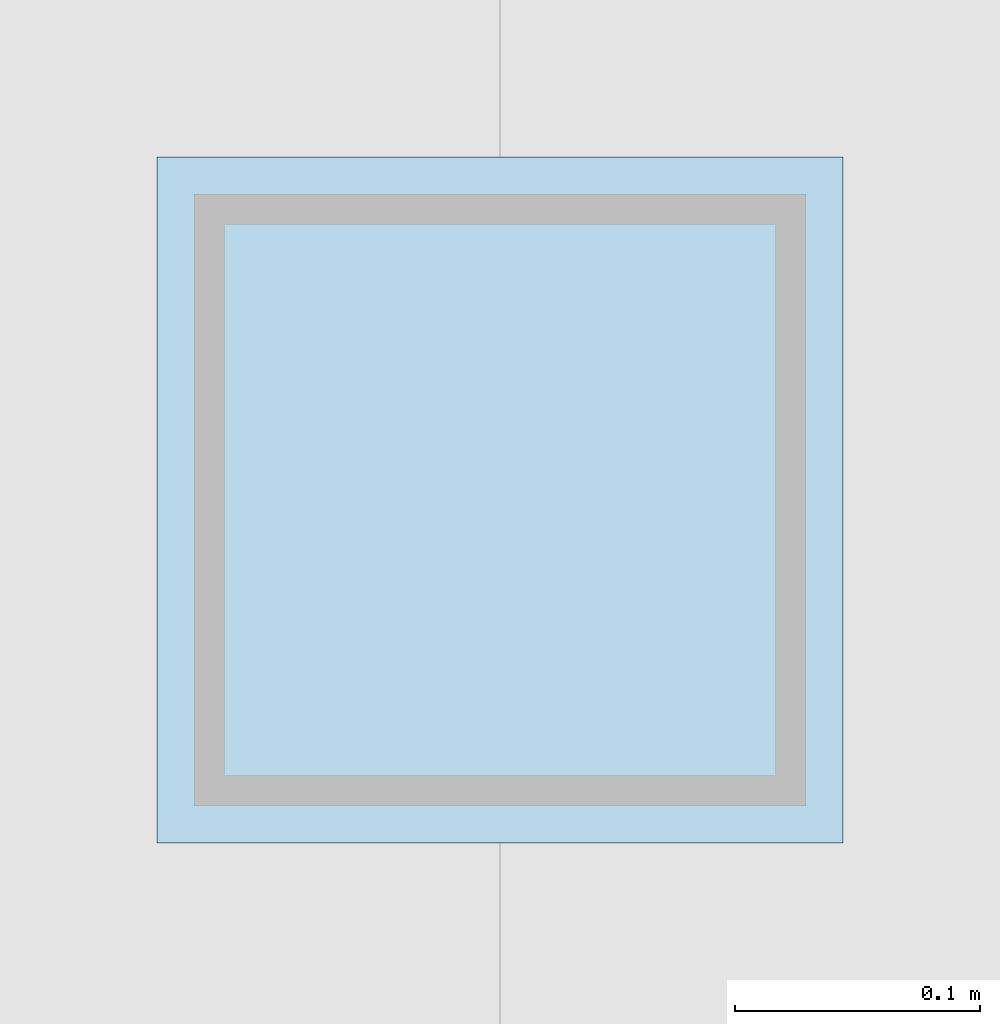
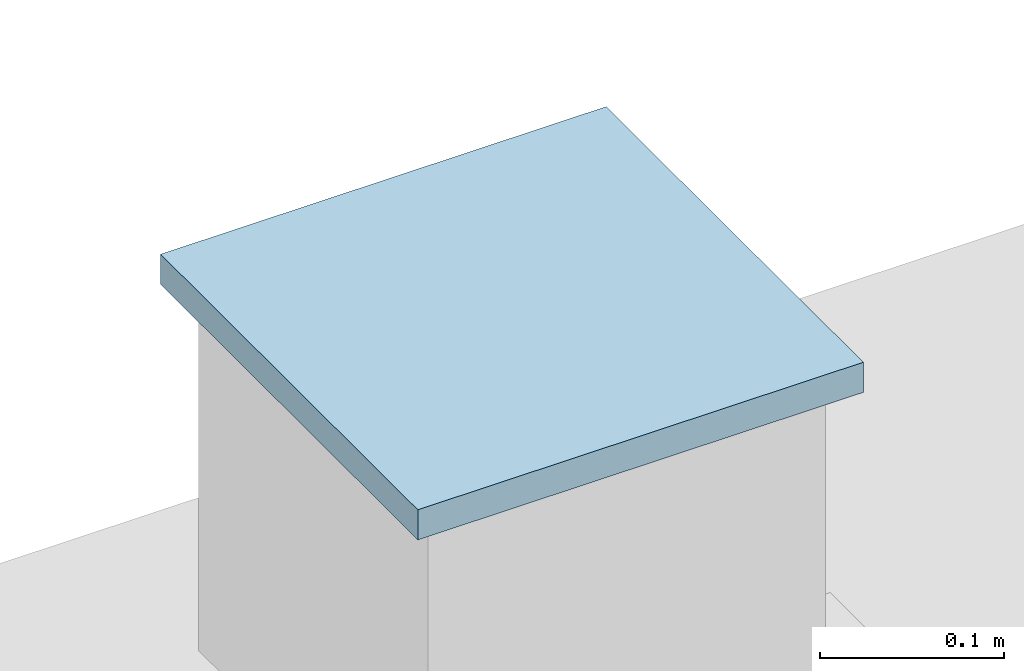
# One storey, part 80 of 113: 1 plate.
"""IFC4 building model written with IfcOpenShell, lengths in metres."""

import ifcopenshell
import ifcopenshell.guid

model = None  # the IFC model being written
_history = None  # IfcOwnerHistory: only IFC2X3 demands one
_inside = {}  # id of a spatial element -> (the spatial element, [elements in it])
_under = {}  # id of a project, library or spatial element -> (it, [spatial elements below it])
_declared = {}  # id of a project -> (the project, [libraries it declares])
_typed = {}  # id of a type object -> (the type object, [elements of that type])
_made_of = {}  # id of a material, layer set ... -> (it, [elements and type objects made of it])


def new_model(schema):
    """Start an empty IFC model of exactly this schema.

    Asked for "IFC4X3", IfcOpenShell would pick the latest addendum, in which some entities
    have other attributes; the version numbers below select the first issue.
    IFC2X3 requires an IfcOwnerHistory on every rooted entity: one is made here for all.
    """
    global model, _history
    if schema == "IFC4X3":
        model = ifcopenshell.file(schema_version=(4, 3, 0, 0))
    else:
        model = ifcopenshell.file(schema=schema)
    _inside.clear()
    _under.clear()
    _declared.clear()
    _typed.clear()
    _made_of.clear()
    _history = None
    if model.schema == "IFC2X3":
        org = make("IfcOrganization", Name="unknown")
        user = make(
            "IfcPersonAndOrganization",
            ThePerson=make("IfcPerson", FamilyName="unknown"),
            TheOrganization=org,
        )
        app = make(
            "IfcApplication",
            ApplicationDeveloper=org,
            Version="unknown",
            ApplicationFullName="unknown",
            ApplicationIdentifier="unknown",
        )
        _history = make(
            "IfcOwnerHistory",
            OwningUser=user,
            OwningApplication=app,
            ChangeAction="ADDED",
            CreationDate=0,
        )
    return model


def make(cls, **values):
    """One entity of the class cls with the attributes given. An attribute that is None is left unset."""
    return model.create_entity(
        cls, **{name: value for name, value in values.items() if value is not None}
    )


def rooted(cls, **values):
    """An entity with a GlobalId (a new one), such as an element, a storey or a relation."""
    return make(cls, GlobalId=ifcopenshell.guid.new(), OwnerHistory=_history, **values)


def si_unit(unit_type, name, prefix=None):
    """IfcSIUnit, for example si_unit("LENGTHUNIT", "METRE", prefix="MILLI")."""
    return make("IfcSIUnit", UnitType=unit_type, Prefix=prefix, Name=name)


def assignment(units):
    """IfcUnitAssignment: the units of a project."""
    return None if units is None else make("IfcUnitAssignment", Units=units)


def point(xyz):
    """IfcCartesianPoint."""
    return None if xyz is None else make("IfcCartesianPoint", Coordinates=xyz)


def direction(xyz):
    """IfcDirection."""
    return None if xyz is None else make("IfcDirection", DirectionRatios=xyz)


def frame(location, z_axis=None, x_axis=None):
    """IfcAxis2Placement3D, a coordinate frame: its origin and axes. An axis left out is left unset."""
    return make(
        "IfcAxis2Placement3D",
        Location=point(location),
        Axis=direction(z_axis),
        RefDirection=direction(x_axis),
    )


def frame_2d(location, x_axis=None):
    """IfcAxis2Placement2D, a coordinate frame in the plane: its origin and x axis."""
    return make(
        "IfcAxis2Placement2D", Location=point(location), RefDirection=direction(x_axis)
    )


def origin():
    """The frame at (0, 0, 0) with its axes left unset."""
    return frame((0.0, 0.0, 0.0))


def origin_2d():
    """The frame at (0, 0) in the plane with its x axis left unset."""
    return frame_2d((0.0, 0.0))


def place(relative_to, where):
    """IfcLocalPlacement: puts the frame where relative to a parent placement (None: the world)."""
    return make(
        "IfcLocalPlacement", PlacementRelTo=relative_to, RelativePlacement=where
    )


def context(
    kind, dimensions, precision=None, world=None, true_north=None, identifier=None
):
    """IfcGeometricRepresentationContext, for example the 3D "Model" context."""
    return make(
        "IfcGeometricRepresentationContext",
        ContextIdentifier=identifier,
        ContextType=kind,
        CoordinateSpaceDimension=dimensions,
        Precision=precision,
        WorldCoordinateSystem=world,
        TrueNorth=true_north,
    )


def subcontext(parent, identifier, kind, view, scale=None):
    """IfcGeometricRepresentationSubContext, for example "Body" below "Model"."""
    return make(
        "IfcGeometricRepresentationSubContext",
        ContextIdentifier=identifier,
        ContextType=kind,
        ParentContext=parent,
        TargetScale=scale,
        TargetView=view,
    )


def project(units=None, contexts=None):
    """IfcProject with its units and contexts."""
    return rooted(
        "IfcProject",
        Name="project",
        RepresentationContexts=contexts,
        UnitsInContext=assignment(units),
    )


def spatial(cls, under=None, at=None, **own):
    """A site, building, storey or space (cls), placed at a placement, below another one or the project."""
    s = rooted(cls, ObjectPlacement=at, **own)
    if under is not None:
        _under.setdefault(under.id(), (under, []))[1].append(s)
    return s


def profile(cls, at=None, kind="AREA", **sizes):
    """A parametric profile (cls). Its sizes go by their IFC names, for example OverallWidth=200.0."""
    return make(cls, ProfileType=kind, Position=at, **sizes)


def rectangle(**sizes):
    """IfcRectangleProfileDef."""
    return profile("IfcRectangleProfileDef", **sizes)


def extrude(swept, where, along, depth):
    """IfcExtrudedAreaSolid: the profile swept, set in the frame where, extruded along a direction by depth."""
    return make(
        "IfcExtrudedAreaSolid",
        SweptArea=swept,
        Position=where,
        ExtrudedDirection=direction(along),
        Depth=depth,
    )


def shape(context_of_items, identifier, shape_type, items):
    """IfcShapeRepresentation: the items that make up one representation, for example the "Body"."""
    return make(
        "IfcShapeRepresentation",
        ContextOfItems=context_of_items,
        RepresentationIdentifier=identifier,
        RepresentationType=shape_type,
        Items=items,
    )


def material(Name=None, Category=None):
    """IfcMaterial."""
    return make("IfcMaterial", Name=Name, Category=Category)


def layer(
    of_material, thickness, ventilated=None, Name=None, Category=None, Priority=None
):
    """IfcMaterialLayer: one layer of a wall or slab, of a material (None: an air gap)."""
    return make(
        "IfcMaterialLayer",
        Material=of_material,
        LayerThickness=thickness,
        IsVentilated=ventilated,
        Name=Name,
        Category=Category,
        Priority=Priority,
    )


def layer_set(layers, Name=None):
    """IfcMaterialLayerSet."""
    return make("IfcMaterialLayerSet", MaterialLayers=layers, LayerSetName=Name)


def made_of(thing, what):
    """Note that an element or type object is made of a material, layer set ...; save() writes the relation."""
    if what is not None:
        _made_of.setdefault(what.id(), (what, []))[1].append(thing)
    return thing


def type_object(cls, material=None, **own):
    """A type object (cls), such as IfcWallType, which elements share."""
    return made_of(rooted(cls, **own), material)


def element(
    cls,
    number,
    at=None,
    inside=None,
    cuts=None,
    type_object=None,
    material=None,
    context=None,
    identifier="Body",
    shape_type=None,
    held_by="IfcProductDefinitionShape",
    body=None,
    shapes=None,
    **own,
):
    """One element of the class cls, such as IfcWall. Its Tag is "e" and its number.

    at: its placement. inside: the storey or other place that contains it. cuts: it is an
    opening in that element (IfcRelVoidsElement). A single representation is given by context,
    identifier, shape_type and body (its items); several are given by shapes. held_by: the class
    of the entity that holds the representations. save() writes the other relations.
    """
    e = rooted(cls, Tag="e%d" % number, ObjectPlacement=at, **own)
    if body is not None:
        shapes = [shape(context, identifier, shape_type, body)]
    if shapes is not None:
        e.Representation = make(held_by, Representations=shapes)
    if inside is not None:
        _inside.setdefault(inside.id(), (inside, []))[1].append(e)
    if cuts is not None:
        rooted(
            "IfcRelVoidsElement", RelatingBuildingElement=cuts, RelatedOpeningElement=e
        )
    if type_object is not None:
        _typed.setdefault(type_object.id(), (type_object, []))[1].append(e)
    return made_of(e, material)


def aggregate(whole, parts):
    """IfcRelAggregates: a whole, such as a stair, and the parts it consists of."""
    return rooted("IfcRelAggregates", RelatingObject=whole, RelatedObjects=parts)


def save(model, path):
    """Write the relations noted so far, then the file.

    IfcRelAggregates (storeys below a building ...), IfcRelContainedInSpatialStructure (elements
    in a storey), IfcRelDefinesByType, IfcRelAssociatesMaterial and IfcRelDeclares: one each for
    every whole, place, type object, material and project.
    """
    for whole, parts in _under.values():
        aggregate(whole, parts)
    for where, things in _inside.values():
        rooted(
            "IfcRelContainedInSpatialStructure",
            RelatedElements=things,
            RelatingStructure=where,
        )
    for kind, things in _typed.values():
        rooted("IfcRelDefinesByType", RelatedObjects=things, RelatingType=kind)
    for what, things in _made_of.values():
        rooted("IfcRelAssociatesMaterial", RelatedObjects=things, RelatingMaterial=what)
    for by, libraries in _declared.values():
        rooted("IfcRelDeclares", RelatingContext=by, RelatedDefinitions=libraries)
    model.write(path)


model = new_model("IFC4")

# Units and contexts
model_context = context("Model", 3, precision=1e-05, world=origin(), true_north=direction((0.0, 1.0)))
body_context = subcontext(model_context, "Body", "Model", "MODEL_VIEW")
ifc_project = project(units=[si_unit("LENGTHUNIT", "METRE"), si_unit("AREAUNIT", "SQUARE_METRE"), si_unit("VOLUMEUNIT", "CUBIC_METRE"), si_unit("PLANEANGLEUNIT", "RADIAN"), si_unit("MASSUNIT", "GRAM", prefix="KILO"), si_unit("POWERUNIT", "WATT"), si_unit("THERMODYNAMICTEMPERATUREUNIT", "KELVIN")], contexts=[model_context])

# Site, building, storey
site_placement = place(None, origin())
site = spatial("IfcSite", under=ifc_project, at=site_placement, CompositionType="ELEMENT")
building_placement = place(site_placement, origin())
building = spatial("IfcBuilding", under=site, at=building_placement, Name="Kelmbourne Parkland Aquatics Centre", CompositionType="ELEMENT")
storey_placement = place(building_placement, origin())
storey = spatial("IfcBuildingStorey", under=building, at=storey_placement, Name="L00", CompositionType="ELEMENT", Elevation=0.0)

# Plate
ifc_material = material(Name="Welded plate steel AS/NZS 3678 Grade 350", Category="steel")
ifc_layer = layer(ifc_material, 0.02001953125)
ifc_layer_set = layer_set([ifc_layer], Name="Welded plate steel AS/NZS 3678 Grade 350")
plate_type = type_object("IfcPlateType", Name="PL-CAP-20", PredefinedType="USERDEFINED", material=ifc_layer_set)
plate_placement = place(storey_placement, frame((32.0, 103.39990234375, 5.39892578125), z_axis=(0.0, 0.0, 1.0), x_axis=(1.0, 0.0, 0.0)))
element("IfcPlate", 1, at=plate_placement, inside=storey, type_object=plate_type, Name="Hollow end cap plate CAP-0009", ObjectType="END CAP PLATE", PredefinedType="USERDEFINED", context=body_context, shape_type="SweptSolid", body=[
    extrude(rectangle(XDim=0.280029296875, YDim=0.280029296875, at=origin_2d()), origin(), (0.0, 0.0, 1.0), 0.02001953125),
])

save(model, "model.ifc")
